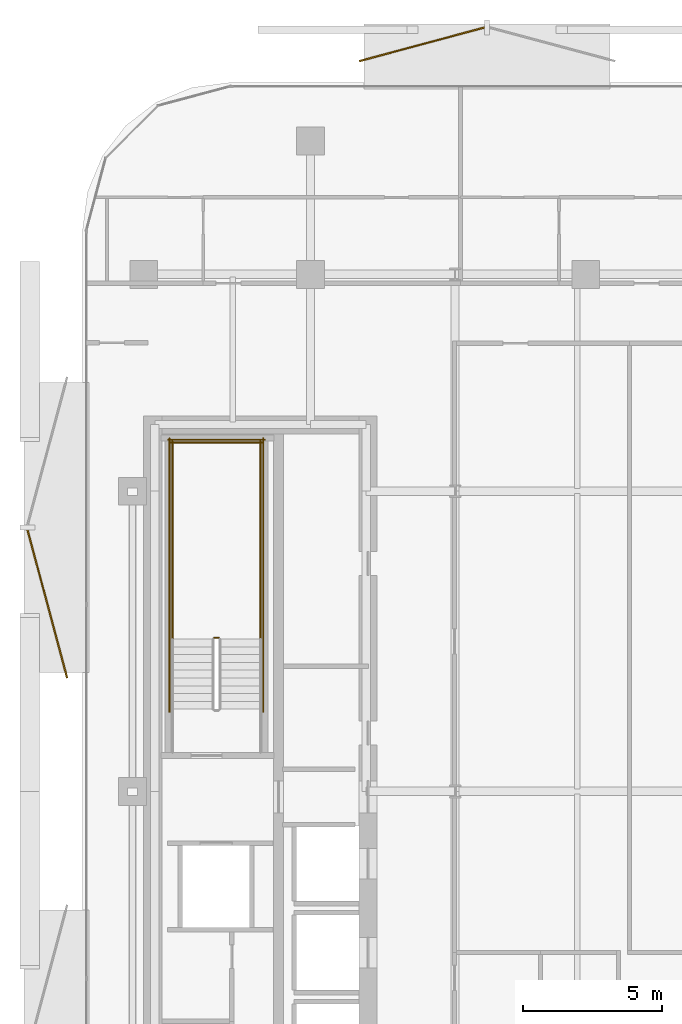
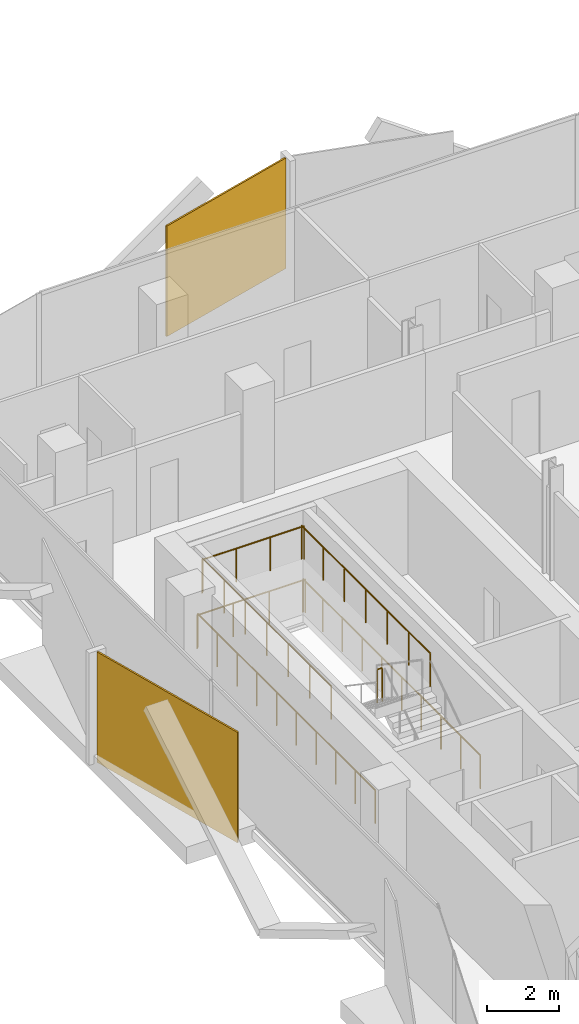
# One storey, part 15 of 16: 7 railings, 2 coverings.
"""IFC4 building model written with IfcOpenShell, lengths in metres."""

import ifcopenshell
import ifcopenshell.guid

model = None  # the IFC model being written
_history = None  # IfcOwnerHistory: only IFC2X3 demands one
_inside = {}  # id of a spatial element -> (the spatial element, [elements in it])
_under = {}  # id of a project, library or spatial element -> (it, [spatial elements below it])
_declared = {}  # id of a project -> (the project, [libraries it declares])
_typed = {}  # id of a type object -> (the type object, [elements of that type])
_made_of = {}  # id of a material, layer set ... -> (it, [elements and type objects made of it])


def new_model(schema):
    """Start an empty IFC model of exactly this schema.

    Asked for "IFC4X3", IfcOpenShell would pick the latest addendum, in which some entities
    have other attributes; the version numbers below select the first issue.
    IFC2X3 requires an IfcOwnerHistory on every rooted entity: one is made here for all.
    """
    global model, _history
    if schema == "IFC4X3":
        model = ifcopenshell.file(schema_version=(4, 3, 0, 0))
    else:
        model = ifcopenshell.file(schema=schema)
    _inside.clear()
    _under.clear()
    _declared.clear()
    _typed.clear()
    _made_of.clear()
    _history = None
    if model.schema == "IFC2X3":
        org = make("IfcOrganization", Name="unknown")
        user = make(
            "IfcPersonAndOrganization",
            ThePerson=make("IfcPerson", FamilyName="unknown"),
            TheOrganization=org,
        )
        app = make(
            "IfcApplication",
            ApplicationDeveloper=org,
            Version="unknown",
            ApplicationFullName="unknown",
            ApplicationIdentifier="unknown",
        )
        _history = make(
            "IfcOwnerHistory",
            OwningUser=user,
            OwningApplication=app,
            ChangeAction="ADDED",
            CreationDate=0,
        )
    return model


def make(cls, **values):
    """One entity of the class cls with the attributes given. An attribute that is None is left unset."""
    return model.create_entity(
        cls, **{name: value for name, value in values.items() if value is not None}
    )


def rooted(cls, **values):
    """An entity with a GlobalId (a new one), such as an element, a storey or a relation."""
    return make(cls, GlobalId=ifcopenshell.guid.new(), OwnerHistory=_history, **values)


def si_unit(unit_type, name, prefix=None):
    """IfcSIUnit, for example si_unit("LENGTHUNIT", "METRE", prefix="MILLI")."""
    return make("IfcSIUnit", UnitType=unit_type, Prefix=prefix, Name=name)


def assignment(units):
    """IfcUnitAssignment: the units of a project."""
    return None if units is None else make("IfcUnitAssignment", Units=units)


def point(xyz):
    """IfcCartesianPoint."""
    return None if xyz is None else make("IfcCartesianPoint", Coordinates=xyz)


def direction(xyz):
    """IfcDirection."""
    return None if xyz is None else make("IfcDirection", DirectionRatios=xyz)


def frame(location, z_axis=None, x_axis=None):
    """IfcAxis2Placement3D, a coordinate frame: its origin and axes. An axis left out is left unset."""
    return make(
        "IfcAxis2Placement3D",
        Location=point(location),
        Axis=direction(z_axis),
        RefDirection=direction(x_axis),
    )


def frame_2d(location, x_axis=None):
    """IfcAxis2Placement2D, a coordinate frame in the plane: its origin and x axis."""
    return make(
        "IfcAxis2Placement2D", Location=point(location), RefDirection=direction(x_axis)
    )


def origin():
    """The frame at (0, 0, 0) with its axes left unset."""
    return frame((0.0, 0.0, 0.0))


def origin_2d():
    """The frame at (0, 0) in the plane with its x axis left unset."""
    return frame_2d((0.0, 0.0))


def place(relative_to, where):
    """IfcLocalPlacement: puts the frame where relative to a parent placement (None: the world)."""
    return make(
        "IfcLocalPlacement", PlacementRelTo=relative_to, RelativePlacement=where
    )


def context(
    kind, dimensions, precision=None, world=None, true_north=None, identifier=None
):
    """IfcGeometricRepresentationContext, for example the 3D "Model" context."""
    return make(
        "IfcGeometricRepresentationContext",
        ContextIdentifier=identifier,
        ContextType=kind,
        CoordinateSpaceDimension=dimensions,
        Precision=precision,
        WorldCoordinateSystem=world,
        TrueNorth=true_north,
    )


def subcontext(parent, identifier, kind, view, scale=None):
    """IfcGeometricRepresentationSubContext, for example "Body" below "Model"."""
    return make(
        "IfcGeometricRepresentationSubContext",
        ContextIdentifier=identifier,
        ContextType=kind,
        ParentContext=parent,
        TargetScale=scale,
        TargetView=view,
    )


def project(units=None, contexts=None):
    """IfcProject with its units and contexts."""
    return rooted(
        "IfcProject",
        Name="project",
        RepresentationContexts=contexts,
        UnitsInContext=assignment(units),
    )


def spatial(cls, under=None, at=None, **own):
    """A site, building, storey or space (cls), placed at a placement, below another one or the project."""
    s = rooted(cls, ObjectPlacement=at, **own)
    if under is not None:
        _under.setdefault(under.id(), (under, []))[1].append(s)
    return s


def profile(cls, at=None, kind="AREA", **sizes):
    """A parametric profile (cls). Its sizes go by their IFC names, for example OverallWidth=200.0."""
    return make(cls, ProfileType=kind, Position=at, **sizes)


def rectangle(**sizes):
    """IfcRectangleProfileDef."""
    return profile("IfcRectangleProfileDef", **sizes)


def circle(**sizes):
    """IfcCircleProfileDef."""
    return profile("IfcCircleProfileDef", **sizes)


def extrude(swept, where, along, depth):
    """IfcExtrudedAreaSolid: the profile swept, set in the frame where, extruded along a direction by depth."""
    return make(
        "IfcExtrudedAreaSolid",
        SweptArea=swept,
        Position=where,
        ExtrudedDirection=direction(along),
        Depth=depth,
    )


def shape(context_of_items, identifier, shape_type, items):
    """IfcShapeRepresentation: the items that make up one representation, for example the "Body"."""
    return make(
        "IfcShapeRepresentation",
        ContextOfItems=context_of_items,
        RepresentationIdentifier=identifier,
        RepresentationType=shape_type,
        Items=items,
    )


def material(Name=None, Category=None):
    """IfcMaterial."""
    return make("IfcMaterial", Name=Name, Category=Category)


def layer(
    of_material, thickness, ventilated=None, Name=None, Category=None, Priority=None
):
    """IfcMaterialLayer: one layer of a wall or slab, of a material (None: an air gap)."""
    return make(
        "IfcMaterialLayer",
        Material=of_material,
        LayerThickness=thickness,
        IsVentilated=ventilated,
        Name=Name,
        Category=Category,
        Priority=Priority,
    )


def layer_set(layers, Name=None):
    """IfcMaterialLayerSet."""
    return make("IfcMaterialLayerSet", MaterialLayers=layers, LayerSetName=Name)


def made_of(thing, what):
    """Note that an element or type object is made of a material, layer set ...; save() writes the relation."""
    if what is not None:
        _made_of.setdefault(what.id(), (what, []))[1].append(thing)
    return thing


def type_object(cls, material=None, **own):
    """A type object (cls), such as IfcWallType, which elements share."""
    return made_of(rooted(cls, **own), material)


def element(
    cls,
    number,
    at=None,
    inside=None,
    cuts=None,
    type_object=None,
    material=None,
    context=None,
    identifier="Body",
    shape_type=None,
    held_by="IfcProductDefinitionShape",
    body=None,
    shapes=None,
    **own,
):
    """One element of the class cls, such as IfcWall. Its Tag is "e" and its number.

    at: its placement. inside: the storey or other place that contains it. cuts: it is an
    opening in that element (IfcRelVoidsElement). A single representation is given by context,
    identifier, shape_type and body (its items); several are given by shapes. held_by: the class
    of the entity that holds the representations. save() writes the other relations.
    """
    e = rooted(cls, Tag="e%d" % number, ObjectPlacement=at, **own)
    if body is not None:
        shapes = [shape(context, identifier, shape_type, body)]
    if shapes is not None:
        e.Representation = make(held_by, Representations=shapes)
    if inside is not None:
        _inside.setdefault(inside.id(), (inside, []))[1].append(e)
    if cuts is not None:
        rooted(
            "IfcRelVoidsElement", RelatingBuildingElement=cuts, RelatedOpeningElement=e
        )
    if type_object is not None:
        _typed.setdefault(type_object.id(), (type_object, []))[1].append(e)
    return made_of(e, material)


def aggregate(whole, parts):
    """IfcRelAggregates: a whole, such as a stair, and the parts it consists of."""
    return rooted("IfcRelAggregates", RelatingObject=whole, RelatedObjects=parts)


def save(model, path):
    """Write the relations noted so far, then the file.

    IfcRelAggregates (storeys below a building ...), IfcRelContainedInSpatialStructure (elements
    in a storey), IfcRelDefinesByType, IfcRelAssociatesMaterial and IfcRelDeclares: one each for
    every whole, place, type object, material and project.
    """
    for whole, parts in _under.values():
        aggregate(whole, parts)
    for where, things in _inside.values():
        rooted(
            "IfcRelContainedInSpatialStructure",
            RelatedElements=things,
            RelatingStructure=where,
        )
    for kind, things in _typed.values():
        rooted("IfcRelDefinesByType", RelatedObjects=things, RelatingType=kind)
    for what, things in _made_of.values():
        rooted("IfcRelAssociatesMaterial", RelatedObjects=things, RelatingMaterial=what)
    for by, libraries in _declared.values():
        rooted("IfcRelDeclares", RelatingContext=by, RelatedDefinitions=libraries)
    model.write(path)


model = new_model("IFC4")

# Units and contexts
model_context = context("Model", 3, precision=1e-05, world=origin(), true_north=direction((0.0, 1.0)))
body_context = subcontext(model_context, "Body", "Model", "MODEL_VIEW")
ifc_project = project(units=[si_unit("LENGTHUNIT", "METRE"), si_unit("AREAUNIT", "SQUARE_METRE"), si_unit("VOLUMEUNIT", "CUBIC_METRE"), si_unit("PLANEANGLEUNIT", "RADIAN"), si_unit("MASSUNIT", "GRAM", prefix="KILO")], contexts=[model_context])

# Site, building, storey
site_placement = place(None, origin())
site = spatial("IfcSite", under=ifc_project, at=site_placement, CompositionType="ELEMENT")
building_placement = place(site_placement, origin())
building = spatial("IfcBuilding", under=site, at=building_placement, Name="Khairoan Windgate Tower", CompositionType="ELEMENT")
storey_placement = place(building_placement, frame((0.0, 0.0, 184.0)))
storey = spatial("IfcBuildingStorey", under=building, at=storey_placement, Name="L42", CompositionType="ELEMENT", Elevation=184.0)

# Coverings
ifc_material_1 = material(Name="Anodised Bronze Aluminium 6063-T6", Category="aluminium")
ifc_layer = layer(ifc_material_1, 0.054931640625, Name="Anodised Bronze Aluminium 6063-T6")
ifc_layer_set = layer_set([ifc_layer], Name="Anodised Bronze Aluminium 6063-T6")
covering_type = type_object("IfcCoveringType", Name="Perforated Bronze-Ceramic Folded Solar Screen Cladding BSC-1", PredefinedType="CLADDING", material=ifc_layer_set)
covering_1_placement = place(storey_placement, frame((-23.8671875, 6.74560546875, -0.10009765625), z_axis=(0.0, 0.0, 1.0), x_axis=(-0.258819045103, 0.965925826289, 0.0)))
element("IfcCovering", 1, at=covering_1_placement, inside=storey, type_object=covering_type, Name="L42 Folded Bronze Solar Screen Facet 276L", PredefinedType="CLADDING", context=body_context, shape_type="SweptSolid", body=[
    extrude(rectangle(XDim=5.507080078125, YDim=0.054931640625, at=origin_2d()), origin(), (0.0, 0.0, 1.0), 3.739990234375),
])
covering_2_placement = place(storey_placement, frame((-10.388916015625, 26.876220703125, -0.10009765625), z_axis=(0.0, 0.0, 1.0), x_axis=(0.965925826289, 0.258819045103, 0.0)))
element("IfcCovering", 2, at=covering_2_placement, inside=storey, type_object=covering_type, Name="L42 Folded Bronze Solar Screen Facet 277L", PredefinedType="CLADDING", context=body_context, shape_type="SweptSolid", body=[
    extrude(rectangle(XDim=4.666015625, YDim=0.054931640625, at=origin_2d()), origin(), (0.0, 0.0, 1.0), 3.739990234375),
])

# Railings
ifc_material_2 = material(Name="Steel S355", Category="steel")
railing_type = type_object("IfcRailingType", Name="Stairwell Safety Guardrail SGR-1150", PredefinedType="GUARDRAIL", material=ifc_material_2)
railing_1_placement = place(storey_placement, frame((-17.7099609375, 5.530029296875, 1.89990234375)))
element("IfcRailing", 3, at=railing_1_placement, inside=storey, type_object=railing_type, Name="L42 ST2 stair guard 2", PredefinedType="GUARDRAIL", context=body_context, shape_type="SweptSolid", body=[
    extrude(circle(Radius=0.02392578125, at=origin_2d()), frame((0.0, 0.0, 1.1259765625), z_axis=(-1.0, 0.0, 0.0), x_axis=(0.0, -1.0, 0.0)), (0.0, 0.0, 1.0), 0.150146484375),
    extrude(circle(Radius=0.02099609375, at=origin_2d()), origin(), (0.0, 0.0, 1.0), 1.101806640625),
    extrude(circle(Radius=0.02099609375, at=origin_2d()), frame((-0.150146484375, 0.0, 0.0)), (0.0, 0.0, 1.0), 1.101806640625),
])
for number, where, name in (
    (4, (-16.199951171875, 5.47998046875, 1.89990234375), "L42 ST2 stair guard 3"),
    (5, (-19.3701171875, 5.47998046875, 1.89990234375), "L42 ST2 stair guard 4"),
):
    element("IfcRailing", number, at=place(storey_placement, frame(where)), inside=storey, type_object=railing_type, Name=name, PredefinedType="GUARDRAIL", context=body_context, shape_type="SweptSolid", body=[
        extrude(circle(Radius=0.02392578125, at=origin_2d()), frame((0.0, 0.0, 1.1259765625), z_axis=(0.0, 1.0, 0.0), x_axis=(-1.0, 0.0, 0.0)), (0.0, 0.0, 1.0), 7.1201171875),
        extrude(circle(Radius=0.02099609375, at=origin_2d()), origin(), (0.0, 0.0, 1.0), 1.101806640625),
        extrude(circle(Radius=0.02099609375, at=origin_2d()), frame((0.0, 1.186767578125, 0.0)), (0.0, 0.0, 1.0), 1.101806640625),
        extrude(circle(Radius=0.02099609375, at=origin_2d()), frame((0.0, 2.373291015625, 0.0)), (0.0, 0.0, 1.0), 1.101806640625),
        extrude(circle(Radius=0.02099609375, at=origin_2d()), frame((0.0, 3.56005859375, 0.0)), (0.0, 0.0, 1.0), 1.101806640625),
        extrude(circle(Radius=0.02099609375, at=origin_2d()), frame((0.0, 4.746826171875, 0.0)), (0.0, 0.0, 1.0), 1.101806640625),
        extrude(circle(Radius=0.02099609375, at=origin_2d()), frame((0.0, 5.933349609375, 0.0)), (0.0, 0.0, 1.0), 1.101806640625),
        extrude(circle(Radius=0.02099609375, at=origin_2d()), frame((0.0, 7.1201171875, 0.0)), (0.0, 0.0, 1.0), 1.101806640625),
    ])
railing_2_placement = place(storey_placement, frame((-16.14990234375, 12.550048828125, 1.89990234375)))
element("IfcRailing", 6, at=railing_2_placement, inside=storey, type_object=railing_type, Name="L42 ST2 stair guard 5", PredefinedType="GUARDRAIL", context=body_context, shape_type="SweptSolid", body=[
    extrude(circle(Radius=0.02392578125, at=origin_2d()), frame((0.0, 0.0, 1.1259765625), z_axis=(-1.0, 0.0, 0.0), x_axis=(0.0, -1.0, 0.0)), (0.0, 0.0, 1.0), 3.27001953125),
    extrude(circle(Radius=0.02099609375, at=origin_2d()), origin(), (0.0, 0.0, 1.0), 1.101806640625),
    extrude(circle(Radius=0.02099609375, at=origin_2d()), frame((-1.090087890625, 0.0, 0.0)), (0.0, 0.0, 1.0), 1.101806640625),
    extrude(circle(Radius=0.02099609375, at=origin_2d()), frame((-2.179931640625, 0.0, 0.0)), (0.0, 0.0, 1.0), 1.101806640625),
    extrude(circle(Radius=0.02099609375, at=origin_2d()), frame((-3.27001953125, 0.0, 0.0)), (0.0, 0.0, 1.0), 1.101806640625),
])
for number, where, name in (
    (7, (-16.10009765625, 2.860107421875, 0.0), "L42 ST2 stair guard 10"),
    (8, (-19.469970703125, 2.860107421875, 0.0), "L42 ST2 stair guard 11"),
):
    element("IfcRailing", number, at=place(storey_placement, frame(where)), inside=storey, type_object=railing_type, Name=name, PredefinedType="GUARDRAIL", context=body_context, shape_type="SweptSolid", body=[
        extrude(circle(Radius=0.02392578125, at=origin_2d()), frame((0.0, 0.0, 1.1259765625), z_axis=(0.0, 1.0, 0.0), x_axis=(-1.0, 0.0, 0.0)), (0.0, 0.0, 1.0), 9.83984375),
        extrude(circle(Radius=0.02099609375, at=origin_2d()), origin(), (0.0, 0.0, 1.0), 1.101806640625),
        extrude(circle(Radius=0.02099609375, at=origin_2d()), frame((0.0, 1.09326171875, 0.0)), (0.0, 0.0, 1.0), 1.101806640625),
        extrude(circle(Radius=0.02099609375, at=origin_2d()), frame((0.0, 2.1865234375, 0.0)), (0.0, 0.0, 1.0), 1.101806640625),
        extrude(circle(Radius=0.02099609375, at=origin_2d()), frame((0.0, 3.280029296875, 0.0)), (0.0, 0.0, 1.0), 1.101806640625),
        extrude(circle(Radius=0.02099609375, at=origin_2d()), frame((0.0, 4.373291015625, 0.0)), (0.0, 0.0, 1.0), 1.101806640625),
        extrude(circle(Radius=0.02099609375, at=origin_2d()), frame((0.0, 5.466552734375, 0.0)), (0.0, 0.0, 1.0), 1.101806640625),
        extrude(circle(Radius=0.02099609375, at=origin_2d()), frame((0.0, 6.559814453125, 0.0)), (0.0, 0.0, 1.0), 1.101806640625),
        extrude(circle(Radius=0.02099609375, at=origin_2d()), frame((0.0, 7.6533203125, 0.0)), (0.0, 0.0, 1.0), 1.101806640625),
        extrude(circle(Radius=0.02099609375, at=origin_2d()), frame((0.0, 8.74658203125, 0.0)), (0.0, 0.0, 1.0), 1.101806640625),
        extrude(circle(Radius=0.02099609375, at=origin_2d()), frame((0.0, 9.83984375, 0.0)), (0.0, 0.0, 1.0), 1.101806640625),
    ])
railing_3_placement = place(storey_placement, frame((-16.050048828125, 12.64990234375, 0.0)))
element("IfcRailing", 9, at=railing_3_placement, inside=storey, type_object=railing_type, Name="L42 ST2 stair guard 12", PredefinedType="GUARDRAIL", context=body_context, shape_type="SweptSolid", body=[
    extrude(circle(Radius=0.02392578125, at=origin_2d()), frame((0.0, 0.0, 1.1259765625), z_axis=(-1.0, 0.0, 0.0), x_axis=(0.0, -1.0, 0.0)), (0.0, 0.0, 1.0), 3.469970703125),
    extrude(circle(Radius=0.02099609375, at=origin_2d()), origin(), (0.0, 0.0, 1.0), 1.101806640625),
    extrude(circle(Radius=0.02099609375, at=origin_2d()), frame((-1.15673828125, 0.0, 0.0)), (0.0, 0.0, 1.0), 1.101806640625),
    extrude(circle(Radius=0.02099609375, at=origin_2d()), frame((-2.313232421875, 0.0, 0.0)), (0.0, 0.0, 1.0), 1.101806640625),
    extrude(circle(Radius=0.02099609375, at=origin_2d()), frame((-3.469970703125, 0.0, 0.0)), (0.0, 0.0, 1.0), 1.101806640625),
])

save(model, "model.ifc")
